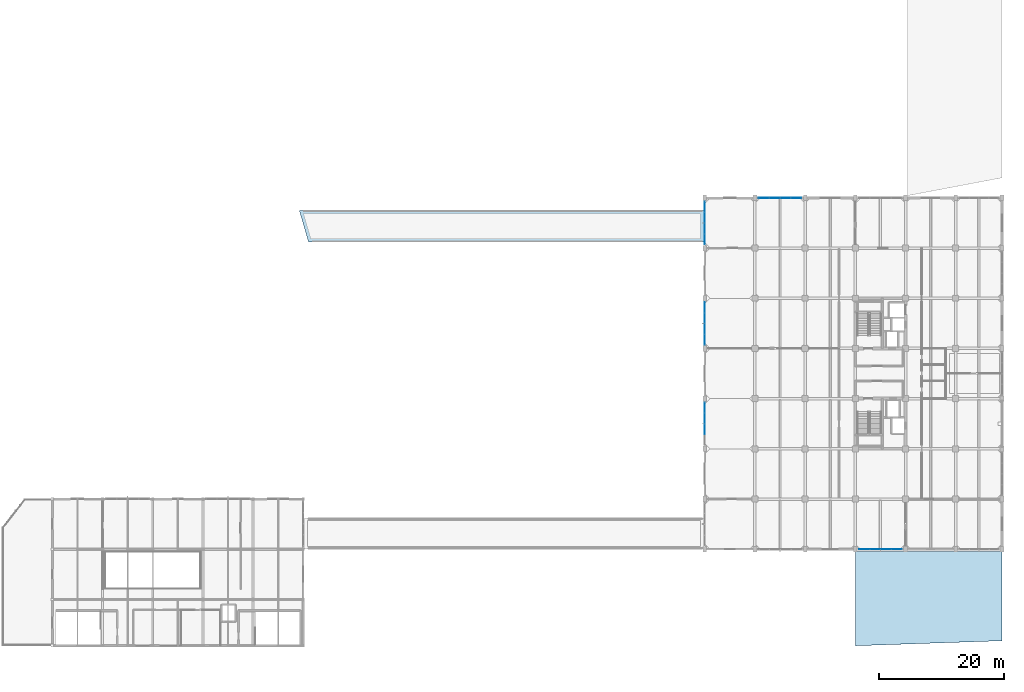
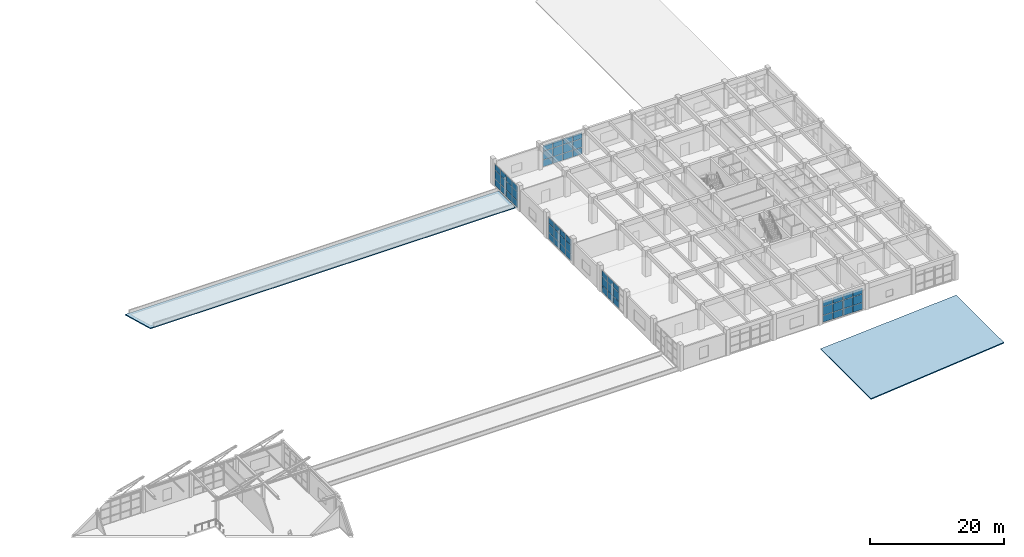
# One storey, part 44 of 63: 57 plates, 2 slabs, 5 elements without a shape of their own.
"""IFC4 building model written with IfcOpenShell, lengths in metres."""

from ifc_helpers import new_model, si_unit, direction, frame, origin, origin_2d, place, context, subcontext, project, spatial, polyline, rectangle, outline, extrude, material, layer, layer_set, type_object, element, aggregate, save


model = new_model("IFC4")

# Units and contexts
model_context = context("Model", 3, precision=1e-05, world=origin(), true_north=direction((0.0, 1.0)))
body_context = subcontext(model_context, "Body", "Model", "MODEL_VIEW")
ifc_project = project(units=[si_unit("LENGTHUNIT", "METRE"), si_unit("AREAUNIT", "SQUARE_METRE"), si_unit("VOLUMEUNIT", "CUBIC_METRE"), si_unit("PLANEANGLEUNIT", "RADIAN"), si_unit("MASSUNIT", "GRAM", prefix="KILO")], contexts=[model_context])

# Site, building, storey
site_placement = place(None, origin())
site = spatial("IfcSite", under=ifc_project, at=site_placement, CompositionType="ELEMENT")
building_placement = place(site_placement, origin())
building = spatial("IfcBuilding", under=site, at=building_placement, Name="Canggui Botanical Conservatory", CompositionType="ELEMENT")
storey_placement = place(building_placement, frame((0.0, 0.0, 10.199951171875)))
storey = spatial("IfcBuildingStorey", under=building, at=storey_placement, Name="L03", CompositionType="ELEMENT", Elevation=10.199951171875)

# Curtain wall, plates
ifc_material_1 = material(Name="Thermally Broken Aluminium", Category="aluminium")
ifc_layer_1 = layer(ifc_material_1, 0.14990234375, Name="Thermally Broken Aluminium", Category="aluminium")
ifc_layer_set_1 = layer_set([ifc_layer_1], Name="Thermally Broken Aluminium")
curtain_wall_type = type_object("IfcCurtainWallType", Name="CW-UNIT-C", PredefinedType="USERDEFINED", material=ifc_layer_set_1)
curtain_wall_1_placement = place(storey_placement, origin())
curtain_wall_1 = element("IfcCurtainWall", 1, at=curtain_wall_1_placement, inside=storey, type_object=curtain_wall_type, Name="Facade Curtain Wall CW-TWR-L03-03", ObjectType="UNITISED CURTAIN WALL", PredefinedType="USERDEFINED")
ifc_material_2 = material(Name="Low-E Insulated Glass", Category="glass")
ifc_layer_2 = layer(ifc_material_2, 0.033935546875, Name="Low-E Insulated Glass", Category="glass")
ifc_layer_set_2 = layer_set([ifc_layer_2], Name="Low-E Insulated Glass")
plate_type = type_object("IfcPlateType", Name="CWP-03", PredefinedType="CURTAIN_PANEL", material=ifc_layer_set_2)
plate_1_placement = place(storey_placement, frame((160.56494140625, 26.0, 0.05517578125), z_axis=(0.0, 0.0, 1.0), x_axis=(-1.0, 0.0, 0.0)))
plate_1 = element("IfcPlate", 2, at=plate_1_placement, type_object=plate_type, Name="CW-03 panel 1.1", PredefinedType="CURTAIN_PANEL", context=body_context, shape_type="SweptSolid", body=[
    extrude(rectangle(XDim=1.6298828125, YDim=0.033935546875, at=origin_2d()), origin(), (0.0, 0.0, 1.0), 1.197509765625),
])
plate_2_placement = place(storey_placement, frame((160.56494140625, 26.0, 1.3076171875), z_axis=(0.0, 0.0, 1.0), x_axis=(-1.0, 0.0, 0.0)))
plate_2 = element("IfcPlate", 3, at=plate_2_placement, type_object=plate_type, Name="CW-03 panel 1.2", PredefinedType="CURTAIN_PANEL", context=body_context, shape_type="SweptSolid", body=[
    extrude(rectangle(XDim=1.6298828125, YDim=0.033935546875, at=origin_2d()), origin(), (0.0, 0.0, 1.0), 1.544921875),
])
plate_3_placement = place(storey_placement, frame((160.56494140625, 26.0, 2.907470703125), z_axis=(0.0, 0.0, 1.0), x_axis=(-1.0, 0.0, 0.0)))
plate_3 = element("IfcPlate", 4, at=plate_3_placement, type_object=plate_type, Name="CW-03 panel 1.3", PredefinedType="CURTAIN_PANEL", context=body_context, shape_type="SweptSolid", body=[
    extrude(rectangle(XDim=1.6298828125, YDim=0.033935546875, at=origin_2d()), origin(), (0.0, 0.0, 1.0), 1.03759765625),
])
plate_4_placement = place(storey_placement, frame((158.860107421875, 26.0, 0.05517578125), z_axis=(0.0, 0.0, 1.0), x_axis=(-1.0, 0.0, 0.0)))
plate_4 = element("IfcPlate", 5, at=plate_4_placement, type_object=plate_type, Name="CW-03 panel 2.1", PredefinedType="CURTAIN_PANEL", context=body_context, shape_type="SweptSolid", body=[
    extrude(rectangle(XDim=1.659912109375, YDim=0.033935546875, at=origin_2d()), origin(), (0.0, 0.0, 1.0), 1.197509765625),
])
plate_5_placement = place(storey_placement, frame((158.860107421875, 26.0, 1.3076171875), z_axis=(0.0, 0.0, 1.0), x_axis=(-1.0, 0.0, 0.0)))
plate_5 = element("IfcPlate", 6, at=plate_5_placement, type_object=plate_type, Name="CW-03 panel 2.2", PredefinedType="CURTAIN_PANEL", context=body_context, shape_type="SweptSolid", body=[
    extrude(rectangle(XDim=1.659912109375, YDim=0.033935546875, at=origin_2d()), origin(), (0.0, 0.0, 1.0), 1.544921875),
])
plate_6_placement = place(storey_placement, frame((158.860107421875, 26.0, 2.907470703125), z_axis=(0.0, 0.0, 1.0), x_axis=(-1.0, 0.0, 0.0)))
plate_6 = element("IfcPlate", 7, at=plate_6_placement, type_object=plate_type, Name="CW-03 panel 2.3", PredefinedType="CURTAIN_PANEL", context=body_context, shape_type="SweptSolid", body=[
    extrude(rectangle(XDim=1.659912109375, YDim=0.033935546875, at=origin_2d()), origin(), (0.0, 0.0, 1.0), 1.03759765625),
])
plate_7_placement = place(storey_placement, frame((157.139892578125, 26.0, 0.05517578125), z_axis=(0.0, 0.0, 1.0), x_axis=(-1.0, 0.0, 0.0)))
plate_7 = element("IfcPlate", 8, at=plate_7_placement, type_object=plate_type, Name="CW-03 panel 3.1", PredefinedType="CURTAIN_PANEL", context=body_context, shape_type="SweptSolid", body=[
    extrude(rectangle(XDim=1.659912109375, YDim=0.033935546875, at=origin_2d()), origin(), (0.0, 0.0, 1.0), 1.197509765625),
])
plate_8_placement = place(storey_placement, frame((157.139892578125, 26.0, 1.3076171875), z_axis=(0.0, 0.0, 1.0), x_axis=(-1.0, 0.0, 0.0)))
plate_8 = element("IfcPlate", 9, at=plate_8_placement, type_object=plate_type, Name="CW-03 panel 3.2", PredefinedType="CURTAIN_PANEL", context=body_context, shape_type="SweptSolid", body=[
    extrude(rectangle(XDim=1.659912109375, YDim=0.033935546875, at=origin_2d()), origin(), (0.0, 0.0, 1.0), 1.544921875),
])
plate_9_placement = place(storey_placement, frame((157.139892578125, 26.0, 2.907470703125), z_axis=(0.0, 0.0, 1.0), x_axis=(-1.0, 0.0, 0.0)))
plate_9 = element("IfcPlate", 10, at=plate_9_placement, type_object=plate_type, Name="CW-03 panel 3.3", PredefinedType="CURTAIN_PANEL", context=body_context, shape_type="SweptSolid", body=[
    extrude(rectangle(XDim=1.659912109375, YDim=0.033935546875, at=origin_2d()), origin(), (0.0, 0.0, 1.0), 1.03759765625),
])
plate_10_placement = place(storey_placement, frame((155.43505859375, 26.0, 0.05517578125), z_axis=(0.0, 0.0, 1.0), x_axis=(-1.0, 0.0, 0.0)))
plate_10 = element("IfcPlate", 11, at=plate_10_placement, type_object=plate_type, Name="CW-03 panel 4.1", PredefinedType="CURTAIN_PANEL", context=body_context, shape_type="SweptSolid", body=[
    extrude(rectangle(XDim=1.6298828125, YDim=0.033935546875, at=origin_2d()), origin(), (0.0, 0.0, 1.0), 1.197509765625),
])
plate_11_placement = place(storey_placement, frame((155.43505859375, 26.0, 1.3076171875), z_axis=(0.0, 0.0, 1.0), x_axis=(-1.0, 0.0, 0.0)))
plate_11 = element("IfcPlate", 12, at=plate_11_placement, type_object=plate_type, Name="CW-03 panel 4.2", PredefinedType="CURTAIN_PANEL", context=body_context, shape_type="SweptSolid", body=[
    extrude(rectangle(XDim=1.6298828125, YDim=0.033935546875, at=origin_2d()), origin(), (0.0, 0.0, 1.0), 1.544921875),
])
plate_12_placement = place(storey_placement, frame((155.43505859375, 26.0, 2.907470703125), z_axis=(0.0, 0.0, 1.0), x_axis=(-1.0, 0.0, 0.0)))
plate_12 = element("IfcPlate", 13, at=plate_12_placement, type_object=plate_type, Name="CW-03 panel 4.3", PredefinedType="CURTAIN_PANEL", context=body_context, shape_type="SweptSolid", body=[
    extrude(rectangle(XDim=1.6298828125, YDim=0.033935546875, at=origin_2d()), origin(), (0.0, 0.0, 1.0), 1.03759765625),
])
aggregate(curtain_wall_1, [plate_1, plate_2, plate_3, plate_4, plate_5, plate_6, plate_7, plate_8, plate_9, plate_10, plate_11, plate_12])

curtain_wall_2_placement = place(storey_placement, origin())
curtain_wall_2 = element("IfcCurtainWall", 14, at=curtain_wall_2_placement, inside=storey, type_object=curtain_wall_type, Name="Facade Curtain Wall CW-TWR-L03-09", ObjectType="UNITISED CURTAIN WALL", PredefinedType="USERDEFINED")
plate_13_placement = place(storey_placement, frame((130.0, 45.139892578125, 0.05517578125), z_axis=(0.0, 0.0, 1.0), x_axis=(0.0, 1.0, 0.0)))
plate_13 = element("IfcPlate", 15, at=plate_13_placement, type_object=plate_type, Name="CW-03 panel 2.1", PredefinedType="CURTAIN_PANEL", context=body_context, shape_type="SweptSolid", body=[
    extrude(rectangle(XDim=1.659912109375, YDim=0.033935546875, at=origin_2d()), origin(), (0.0, 0.0, 1.0), 1.197509765625),
])
plate_14_placement = place(storey_placement, frame((130.0, 45.139892578125, 1.3076171875), z_axis=(0.0, 0.0, 1.0), x_axis=(0.0, 1.0, 0.0)))
plate_14 = element("IfcPlate", 16, at=plate_14_placement, type_object=plate_type, Name="CW-03 panel 2.2", PredefinedType="CURTAIN_PANEL", context=body_context, shape_type="SweptSolid", body=[
    extrude(rectangle(XDim=1.659912109375, YDim=0.033935546875, at=origin_2d()), origin(), (0.0, 0.0, 1.0), 1.544921875),
])
plate_15_placement = place(storey_placement, frame((130.0, 45.139892578125, 2.907470703125), z_axis=(0.0, 0.0, 1.0), x_axis=(0.0, 1.0, 0.0)))
plate_15 = element("IfcPlate", 17, at=plate_15_placement, type_object=plate_type, Name="CW-03 panel 2.3", PredefinedType="CURTAIN_PANEL", context=body_context, shape_type="SweptSolid", body=[
    extrude(rectangle(XDim=1.659912109375, YDim=0.033935546875, at=origin_2d()), origin(), (0.0, 0.0, 1.0), 1.03759765625),
])
plate_16_placement = place(storey_placement, frame((130.0, 46.860107421875, 0.05517578125), z_axis=(0.0, 0.0, 1.0), x_axis=(0.0, 1.0, 0.0)))
plate_16 = element("IfcPlate", 18, at=plate_16_placement, type_object=plate_type, Name="CW-03 panel 3.1", PredefinedType="CURTAIN_PANEL", context=body_context, shape_type="SweptSolid", body=[
    extrude(rectangle(XDim=1.659912109375, YDim=0.033935546875, at=origin_2d()), origin(), (0.0, 0.0, 1.0), 1.197509765625),
])
plate_17_placement = place(storey_placement, frame((130.0, 46.860107421875, 1.3076171875), z_axis=(0.0, 0.0, 1.0), x_axis=(0.0, 1.0, 0.0)))
plate_17 = element("IfcPlate", 19, at=plate_17_placement, type_object=plate_type, Name="CW-03 panel 3.2", PredefinedType="CURTAIN_PANEL", context=body_context, shape_type="SweptSolid", body=[
    extrude(rectangle(XDim=1.659912109375, YDim=0.033935546875, at=origin_2d()), origin(), (0.0, 0.0, 1.0), 1.544921875),
])
plate_18_placement = place(storey_placement, frame((130.0, 46.860107421875, 2.907470703125), z_axis=(0.0, 0.0, 1.0), x_axis=(0.0, 1.0, 0.0)))
plate_18 = element("IfcPlate", 20, at=plate_18_placement, type_object=plate_type, Name="CW-03 panel 3.3", PredefinedType="CURTAIN_PANEL", context=body_context, shape_type="SweptSolid", body=[
    extrude(rectangle(XDim=1.659912109375, YDim=0.033935546875, at=origin_2d()), origin(), (0.0, 0.0, 1.0), 1.03759765625),
])
plate_19_placement = place(storey_placement, frame((130.0, 48.56494140625, 0.05517578125), z_axis=(0.0, 0.0, 1.0), x_axis=(0.0, 1.0, 0.0)))
plate_19 = element("IfcPlate", 21, at=plate_19_placement, type_object=plate_type, Name="CW-03 panel 4.1", PredefinedType="CURTAIN_PANEL", context=body_context, shape_type="SweptSolid", body=[
    extrude(rectangle(XDim=1.6298828125, YDim=0.033935546875, at=origin_2d()), origin(), (0.0, 0.0, 1.0), 1.197509765625),
])
plate_20_placement = place(storey_placement, frame((130.0, 48.56494140625, 1.3076171875), z_axis=(0.0, 0.0, 1.0), x_axis=(0.0, 1.0, 0.0)))
plate_20 = element("IfcPlate", 22, at=plate_20_placement, type_object=plate_type, Name="CW-03 panel 4.2", PredefinedType="CURTAIN_PANEL", context=body_context, shape_type="SweptSolid", body=[
    extrude(rectangle(XDim=1.6298828125, YDim=0.033935546875, at=origin_2d()), origin(), (0.0, 0.0, 1.0), 1.544921875),
])
plate_21_placement = place(storey_placement, frame((130.0, 48.56494140625, 2.907470703125), z_axis=(0.0, 0.0, 1.0), x_axis=(0.0, 1.0, 0.0)))
plate_21 = element("IfcPlate", 23, at=plate_21_placement, type_object=plate_type, Name="CW-03 panel 4.3", PredefinedType="CURTAIN_PANEL", context=body_context, shape_type="SweptSolid", body=[
    extrude(rectangle(XDim=1.6298828125, YDim=0.033935546875, at=origin_2d()), origin(), (0.0, 0.0, 1.0), 1.03759765625),
])
aggregate(curtain_wall_2, [plate_13, plate_14, plate_15, plate_16, plate_17, plate_18, plate_19, plate_20, plate_21])

curtain_wall_3_placement = place(storey_placement, origin())
curtain_wall_3 = element("IfcCurtainWall", 24, at=curtain_wall_3_placement, inside=storey, type_object=curtain_wall_type, Name="Facade Curtain Wall CW-TWR-L03-11", ObjectType="UNITISED CURTAIN WALL", PredefinedType="USERDEFINED")
plate_22_placement = place(storey_placement, frame((130.0, 59.43505859375, 0.05517578125), z_axis=(0.0, 0.0, 1.0), x_axis=(0.0, 1.0, 0.0)))
plate_22 = element("IfcPlate", 25, at=plate_22_placement, type_object=plate_type, Name="CW-03 panel 1.1", PredefinedType="CURTAIN_PANEL", context=body_context, shape_type="SweptSolid", body=[
    extrude(rectangle(XDim=1.6298828125, YDim=0.033935546875, at=origin_2d()), origin(), (0.0, 0.0, 1.0), 1.197509765625),
])
plate_23_placement = place(storey_placement, frame((130.0, 59.43505859375, 1.3076171875), z_axis=(0.0, 0.0, 1.0), x_axis=(0.0, 1.0, 0.0)))
plate_23 = element("IfcPlate", 26, at=plate_23_placement, type_object=plate_type, Name="CW-03 panel 1.2", PredefinedType="CURTAIN_PANEL", context=body_context, shape_type="SweptSolid", body=[
    extrude(rectangle(XDim=1.6298828125, YDim=0.033935546875, at=origin_2d()), origin(), (0.0, 0.0, 1.0), 1.544921875),
])
plate_24_placement = place(storey_placement, frame((130.0, 59.43505859375, 2.907470703125), z_axis=(0.0, 0.0, 1.0), x_axis=(0.0, 1.0, 0.0)))
plate_24 = element("IfcPlate", 27, at=plate_24_placement, type_object=plate_type, Name="CW-03 panel 1.3", PredefinedType="CURTAIN_PANEL", context=body_context, shape_type="SweptSolid", body=[
    extrude(rectangle(XDim=1.6298828125, YDim=0.033935546875, at=origin_2d()), origin(), (0.0, 0.0, 1.0), 1.03759765625),
])
plate_25_placement = place(storey_placement, frame((130.0, 61.139892578125, 0.05517578125), z_axis=(0.0, 0.0, 1.0), x_axis=(0.0, 1.0, 0.0)))
plate_25 = element("IfcPlate", 28, at=plate_25_placement, type_object=plate_type, Name="CW-03 panel 2.1", PredefinedType="CURTAIN_PANEL", context=body_context, shape_type="SweptSolid", body=[
    extrude(rectangle(XDim=1.659912109375, YDim=0.033935546875, at=origin_2d()), origin(), (0.0, 0.0, 1.0), 1.197509765625),
])
plate_26_placement = place(storey_placement, frame((130.0, 61.139892578125, 1.3076171875), z_axis=(0.0, 0.0, 1.0), x_axis=(0.0, 1.0, 0.0)))
plate_26 = element("IfcPlate", 29, at=plate_26_placement, type_object=plate_type, Name="CW-03 panel 2.2", PredefinedType="CURTAIN_PANEL", context=body_context, shape_type="SweptSolid", body=[
    extrude(rectangle(XDim=1.659912109375, YDim=0.033935546875, at=origin_2d()), origin(), (0.0, 0.0, 1.0), 1.544921875),
])
plate_27_placement = place(storey_placement, frame((130.0, 61.139892578125, 2.907470703125), z_axis=(0.0, 0.0, 1.0), x_axis=(0.0, 1.0, 0.0)))
plate_27 = element("IfcPlate", 30, at=plate_27_placement, type_object=plate_type, Name="CW-03 panel 2.3", PredefinedType="CURTAIN_PANEL", context=body_context, shape_type="SweptSolid", body=[
    extrude(rectangle(XDim=1.659912109375, YDim=0.033935546875, at=origin_2d()), origin(), (0.0, 0.0, 1.0), 1.03759765625),
])
plate_28_placement = place(storey_placement, frame((130.0, 62.860107421875, 0.05517578125), z_axis=(0.0, 0.0, 1.0), x_axis=(0.0, 1.0, 0.0)))
plate_28 = element("IfcPlate", 31, at=plate_28_placement, type_object=plate_type, Name="CW-03 panel 3.1", PredefinedType="CURTAIN_PANEL", context=body_context, shape_type="SweptSolid", body=[
    extrude(rectangle(XDim=1.659912109375, YDim=0.033935546875, at=origin_2d()), origin(), (0.0, 0.0, 1.0), 1.197509765625),
])
plate_29_placement = place(storey_placement, frame((130.0, 62.860107421875, 1.3076171875), z_axis=(0.0, 0.0, 1.0), x_axis=(0.0, 1.0, 0.0)))
plate_29 = element("IfcPlate", 32, at=plate_29_placement, type_object=plate_type, Name="CW-03 panel 3.2", PredefinedType="CURTAIN_PANEL", context=body_context, shape_type="SweptSolid", body=[
    extrude(rectangle(XDim=1.659912109375, YDim=0.033935546875, at=origin_2d()), origin(), (0.0, 0.0, 1.0), 1.544921875),
])
plate_30_placement = place(storey_placement, frame((130.0, 62.860107421875, 2.907470703125), z_axis=(0.0, 0.0, 1.0), x_axis=(0.0, 1.0, 0.0)))
plate_30 = element("IfcPlate", 33, at=plate_30_placement, type_object=plate_type, Name="CW-03 panel 3.3", PredefinedType="CURTAIN_PANEL", context=body_context, shape_type="SweptSolid", body=[
    extrude(rectangle(XDim=1.659912109375, YDim=0.033935546875, at=origin_2d()), origin(), (0.0, 0.0, 1.0), 1.03759765625),
])
plate_31_placement = place(storey_placement, frame((130.0, 64.56494140625, 0.05517578125), z_axis=(0.0, 0.0, 1.0), x_axis=(0.0, 1.0, 0.0)))
plate_31 = element("IfcPlate", 34, at=plate_31_placement, type_object=plate_type, Name="CW-03 panel 4.1", PredefinedType="CURTAIN_PANEL", context=body_context, shape_type="SweptSolid", body=[
    extrude(rectangle(XDim=1.6298828125, YDim=0.033935546875, at=origin_2d()), origin(), (0.0, 0.0, 1.0), 1.197509765625),
])
plate_32_placement = place(storey_placement, frame((130.0, 64.56494140625, 1.3076171875), z_axis=(0.0, 0.0, 1.0), x_axis=(0.0, 1.0, 0.0)))
plate_32 = element("IfcPlate", 35, at=plate_32_placement, type_object=plate_type, Name="CW-03 panel 4.2", PredefinedType="CURTAIN_PANEL", context=body_context, shape_type="SweptSolid", body=[
    extrude(rectangle(XDim=1.6298828125, YDim=0.033935546875, at=origin_2d()), origin(), (0.0, 0.0, 1.0), 1.544921875),
])
plate_33_placement = place(storey_placement, frame((130.0, 64.56494140625, 2.907470703125), z_axis=(0.0, 0.0, 1.0), x_axis=(0.0, 1.0, 0.0)))
plate_33 = element("IfcPlate", 36, at=plate_33_placement, type_object=plate_type, Name="CW-03 panel 4.3", PredefinedType="CURTAIN_PANEL", context=body_context, shape_type="SweptSolid", body=[
    extrude(rectangle(XDim=1.6298828125, YDim=0.033935546875, at=origin_2d()), origin(), (0.0, 0.0, 1.0), 1.03759765625),
])
aggregate(curtain_wall_3, [plate_22, plate_23, plate_24, plate_25, plate_26, plate_27, plate_28, plate_29, plate_30, plate_31, plate_32, plate_33])

curtain_wall_4_placement = place(storey_placement, origin())
curtain_wall_4 = element("IfcCurtainWall", 37, at=curtain_wall_4_placement, inside=storey, type_object=curtain_wall_type, Name="Facade Curtain Wall CW-TWR-L03-13", ObjectType="UNITISED CURTAIN WALL", PredefinedType="USERDEFINED")
plate_34_placement = place(storey_placement, frame((130.0, 75.43505859375, 0.05517578125), z_axis=(0.0, 0.0, 1.0), x_axis=(0.0, 1.0, 0.0)))
plate_34 = element("IfcPlate", 38, at=plate_34_placement, type_object=plate_type, Name="CW-03 panel 1.1", PredefinedType="CURTAIN_PANEL", context=body_context, shape_type="SweptSolid", body=[
    extrude(rectangle(XDim=1.6298828125, YDim=0.033935546875, at=origin_2d()), origin(), (0.0, 0.0, 1.0), 1.197509765625),
])
plate_35_placement = place(storey_placement, frame((130.0, 75.43505859375, 1.3076171875), z_axis=(0.0, 0.0, 1.0), x_axis=(0.0, 1.0, 0.0)))
plate_35 = element("IfcPlate", 39, at=plate_35_placement, type_object=plate_type, Name="CW-03 panel 1.2", PredefinedType="CURTAIN_PANEL", context=body_context, shape_type="SweptSolid", body=[
    extrude(rectangle(XDim=1.6298828125, YDim=0.033935546875, at=origin_2d()), origin(), (0.0, 0.0, 1.0), 1.544921875),
])
plate_36_placement = place(storey_placement, frame((130.0, 75.43505859375, 2.907470703125), z_axis=(0.0, 0.0, 1.0), x_axis=(0.0, 1.0, 0.0)))
plate_36 = element("IfcPlate", 40, at=plate_36_placement, type_object=plate_type, Name="CW-03 panel 1.3", PredefinedType="CURTAIN_PANEL", context=body_context, shape_type="SweptSolid", body=[
    extrude(rectangle(XDim=1.6298828125, YDim=0.033935546875, at=origin_2d()), origin(), (0.0, 0.0, 1.0), 1.03759765625),
])
plate_37_placement = place(storey_placement, frame((130.0, 77.139892578125, 0.05517578125), z_axis=(0.0, 0.0, 1.0), x_axis=(0.0, 1.0, 0.0)))
plate_37 = element("IfcPlate", 41, at=plate_37_placement, type_object=plate_type, Name="CW-03 panel 2.1", PredefinedType="CURTAIN_PANEL", context=body_context, shape_type="SweptSolid", body=[
    extrude(rectangle(XDim=1.659912109375, YDim=0.033935546875, at=origin_2d()), origin(), (0.0, 0.0, 1.0), 1.197509765625),
])
plate_38_placement = place(storey_placement, frame((130.0, 77.139892578125, 1.3076171875), z_axis=(0.0, 0.0, 1.0), x_axis=(0.0, 1.0, 0.0)))
plate_38 = element("IfcPlate", 42, at=plate_38_placement, type_object=plate_type, Name="CW-03 panel 2.2", PredefinedType="CURTAIN_PANEL", context=body_context, shape_type="SweptSolid", body=[
    extrude(rectangle(XDim=1.659912109375, YDim=0.033935546875, at=origin_2d()), origin(), (0.0, 0.0, 1.0), 1.544921875),
])
plate_39_placement = place(storey_placement, frame((130.0, 77.139892578125, 2.907470703125), z_axis=(0.0, 0.0, 1.0), x_axis=(0.0, 1.0, 0.0)))
plate_39 = element("IfcPlate", 43, at=plate_39_placement, type_object=plate_type, Name="CW-03 panel 2.3", PredefinedType="CURTAIN_PANEL", context=body_context, shape_type="SweptSolid", body=[
    extrude(rectangle(XDim=1.659912109375, YDim=0.033935546875, at=origin_2d()), origin(), (0.0, 0.0, 1.0), 1.03759765625),
])
plate_40_placement = place(storey_placement, frame((130.0, 78.860107421875, 0.05517578125), z_axis=(0.0, 0.0, 1.0), x_axis=(0.0, 1.0, 0.0)))
plate_40 = element("IfcPlate", 44, at=plate_40_placement, type_object=plate_type, Name="CW-03 panel 3.1", PredefinedType="CURTAIN_PANEL", context=body_context, shape_type="SweptSolid", body=[
    extrude(rectangle(XDim=1.659912109375, YDim=0.033935546875, at=origin_2d()), origin(), (0.0, 0.0, 1.0), 1.197509765625),
])
plate_41_placement = place(storey_placement, frame((130.0, 78.860107421875, 1.3076171875), z_axis=(0.0, 0.0, 1.0), x_axis=(0.0, 1.0, 0.0)))
plate_41 = element("IfcPlate", 45, at=plate_41_placement, type_object=plate_type, Name="CW-03 panel 3.2", PredefinedType="CURTAIN_PANEL", context=body_context, shape_type="SweptSolid", body=[
    extrude(rectangle(XDim=1.659912109375, YDim=0.033935546875, at=origin_2d()), origin(), (0.0, 0.0, 1.0), 1.544921875),
])
plate_42_placement = place(storey_placement, frame((130.0, 78.860107421875, 2.907470703125), z_axis=(0.0, 0.0, 1.0), x_axis=(0.0, 1.0, 0.0)))
plate_42 = element("IfcPlate", 46, at=plate_42_placement, type_object=plate_type, Name="CW-03 panel 3.3", PredefinedType="CURTAIN_PANEL", context=body_context, shape_type="SweptSolid", body=[
    extrude(rectangle(XDim=1.659912109375, YDim=0.033935546875, at=origin_2d()), origin(), (0.0, 0.0, 1.0), 1.03759765625),
])
plate_43_placement = place(storey_placement, frame((130.0, 80.56494140625, 0.05517578125), z_axis=(0.0, 0.0, 1.0), x_axis=(0.0, 1.0, 0.0)))
plate_43 = element("IfcPlate", 47, at=plate_43_placement, type_object=plate_type, Name="CW-03 panel 4.1", PredefinedType="CURTAIN_PANEL", context=body_context, shape_type="SweptSolid", body=[
    extrude(rectangle(XDim=1.6298828125, YDim=0.033935546875, at=origin_2d()), origin(), (0.0, 0.0, 1.0), 1.197509765625),
])
plate_44_placement = place(storey_placement, frame((130.0, 80.56494140625, 1.3076171875), z_axis=(0.0, 0.0, 1.0), x_axis=(0.0, 1.0, 0.0)))
plate_44 = element("IfcPlate", 48, at=plate_44_placement, type_object=plate_type, Name="CW-03 panel 4.2", PredefinedType="CURTAIN_PANEL", context=body_context, shape_type="SweptSolid", body=[
    extrude(rectangle(XDim=1.6298828125, YDim=0.033935546875, at=origin_2d()), origin(), (0.0, 0.0, 1.0), 1.544921875),
])
plate_45_placement = place(storey_placement, frame((130.0, 80.56494140625, 2.907470703125), z_axis=(0.0, 0.0, 1.0), x_axis=(0.0, 1.0, 0.0)))
plate_45 = element("IfcPlate", 49, at=plate_45_placement, type_object=plate_type, Name="CW-03 panel 4.3", PredefinedType="CURTAIN_PANEL", context=body_context, shape_type="SweptSolid", body=[
    extrude(rectangle(XDim=1.6298828125, YDim=0.033935546875, at=origin_2d()), origin(), (0.0, 0.0, 1.0), 1.03759765625),
])
aggregate(curtain_wall_4, [plate_34, plate_35, plate_36, plate_37, plate_38, plate_39, plate_40, plate_41, plate_42, plate_43, plate_44, plate_45])

curtain_wall_5_placement = place(storey_placement, origin())
curtain_wall_5 = element("IfcCurtainWall", 50, at=curtain_wall_5_placement, inside=storey, type_object=curtain_wall_type, Name="Facade Curtain Wall CW-TWR-L03-15", ObjectType="UNITISED CURTAIN WALL", PredefinedType="USERDEFINED")
plate_46_placement = place(storey_placement, frame((139.43505859375, 82.0, 0.05517578125), z_axis=(0.0, 0.0, 1.0), x_axis=(1.0, 0.0, 0.0)))
plate_46 = element("IfcPlate", 51, at=plate_46_placement, type_object=plate_type, Name="CW-03 panel 1.1", PredefinedType="CURTAIN_PANEL", context=body_context, shape_type="SweptSolid", body=[
    extrude(rectangle(XDim=1.6298828125, YDim=0.033935546875, at=origin_2d()), origin(), (0.0, 0.0, 1.0), 1.197509765625),
])
plate_47_placement = place(storey_placement, frame((139.43505859375, 82.0, 1.3076171875), z_axis=(0.0, 0.0, 1.0), x_axis=(1.0, 0.0, 0.0)))
plate_47 = element("IfcPlate", 52, at=plate_47_placement, type_object=plate_type, Name="CW-03 panel 1.2", PredefinedType="CURTAIN_PANEL", context=body_context, shape_type="SweptSolid", body=[
    extrude(rectangle(XDim=1.6298828125, YDim=0.033935546875, at=origin_2d()), origin(), (0.0, 0.0, 1.0), 1.544921875),
])
plate_48_placement = place(storey_placement, frame((139.43505859375, 82.0, 2.907470703125), z_axis=(0.0, 0.0, 1.0), x_axis=(1.0, 0.0, 0.0)))
plate_48 = element("IfcPlate", 53, at=plate_48_placement, type_object=plate_type, Name="CW-03 panel 1.3", PredefinedType="CURTAIN_PANEL", context=body_context, shape_type="SweptSolid", body=[
    extrude(rectangle(XDim=1.6298828125, YDim=0.033935546875, at=origin_2d()), origin(), (0.0, 0.0, 1.0), 1.03759765625),
])
plate_49_placement = place(storey_placement, frame((141.139892578125, 82.0, 0.05517578125), z_axis=(0.0, 0.0, 1.0), x_axis=(1.0, 0.0, 0.0)))
plate_49 = element("IfcPlate", 54, at=plate_49_placement, type_object=plate_type, Name="CW-03 panel 2.1", PredefinedType="CURTAIN_PANEL", context=body_context, shape_type="SweptSolid", body=[
    extrude(rectangle(XDim=1.659912109375, YDim=0.033935546875, at=origin_2d()), origin(), (0.0, 0.0, 1.0), 1.197509765625),
])
plate_50_placement = place(storey_placement, frame((141.139892578125, 82.0, 1.3076171875), z_axis=(0.0, 0.0, 1.0), x_axis=(1.0, 0.0, 0.0)))
plate_50 = element("IfcPlate", 55, at=plate_50_placement, type_object=plate_type, Name="CW-03 panel 2.2", PredefinedType="CURTAIN_PANEL", context=body_context, shape_type="SweptSolid", body=[
    extrude(rectangle(XDim=1.659912109375, YDim=0.033935546875, at=origin_2d()), origin(), (0.0, 0.0, 1.0), 1.544921875),
])
plate_51_placement = place(storey_placement, frame((141.139892578125, 82.0, 2.907470703125), z_axis=(0.0, 0.0, 1.0), x_axis=(1.0, 0.0, 0.0)))
plate_51 = element("IfcPlate", 56, at=plate_51_placement, type_object=plate_type, Name="CW-03 panel 2.3", PredefinedType="CURTAIN_PANEL", context=body_context, shape_type="SweptSolid", body=[
    extrude(rectangle(XDim=1.659912109375, YDim=0.033935546875, at=origin_2d()), origin(), (0.0, 0.0, 1.0), 1.03759765625),
])
plate_52_placement = place(storey_placement, frame((142.860107421875, 82.0, 0.05517578125), z_axis=(0.0, 0.0, 1.0), x_axis=(1.0, 0.0, 0.0)))
plate_52 = element("IfcPlate", 57, at=plate_52_placement, type_object=plate_type, Name="CW-03 panel 3.1", PredefinedType="CURTAIN_PANEL", context=body_context, shape_type="SweptSolid", body=[
    extrude(rectangle(XDim=1.659912109375, YDim=0.033935546875, at=origin_2d()), origin(), (0.0, 0.0, 1.0), 1.197509765625),
])
plate_53_placement = place(storey_placement, frame((142.860107421875, 82.0, 1.3076171875), z_axis=(0.0, 0.0, 1.0), x_axis=(1.0, 0.0, 0.0)))
plate_53 = element("IfcPlate", 58, at=plate_53_placement, type_object=plate_type, Name="CW-03 panel 3.2", PredefinedType="CURTAIN_PANEL", context=body_context, shape_type="SweptSolid", body=[
    extrude(rectangle(XDim=1.659912109375, YDim=0.033935546875, at=origin_2d()), origin(), (0.0, 0.0, 1.0), 1.544921875),
])
plate_54_placement = place(storey_placement, frame((142.860107421875, 82.0, 2.907470703125), z_axis=(0.0, 0.0, 1.0), x_axis=(1.0, 0.0, 0.0)))
plate_54 = element("IfcPlate", 59, at=plate_54_placement, type_object=plate_type, Name="CW-03 panel 3.3", PredefinedType="CURTAIN_PANEL", context=body_context, shape_type="SweptSolid", body=[
    extrude(rectangle(XDim=1.659912109375, YDim=0.033935546875, at=origin_2d()), origin(), (0.0, 0.0, 1.0), 1.03759765625),
])
plate_55_placement = place(storey_placement, frame((144.56494140625, 82.0, 0.05517578125), z_axis=(0.0, 0.0, 1.0), x_axis=(1.0, 0.0, 0.0)))
plate_55 = element("IfcPlate", 60, at=plate_55_placement, type_object=plate_type, Name="CW-03 panel 4.1", PredefinedType="CURTAIN_PANEL", context=body_context, shape_type="SweptSolid", body=[
    extrude(rectangle(XDim=1.6298828125, YDim=0.033935546875, at=origin_2d()), origin(), (0.0, 0.0, 1.0), 1.197509765625),
])
plate_56_placement = place(storey_placement, frame((144.56494140625, 82.0, 1.3076171875), z_axis=(0.0, 0.0, 1.0), x_axis=(1.0, 0.0, 0.0)))
plate_56 = element("IfcPlate", 61, at=plate_56_placement, type_object=plate_type, Name="CW-03 panel 4.2", PredefinedType="CURTAIN_PANEL", context=body_context, shape_type="SweptSolid", body=[
    extrude(rectangle(XDim=1.6298828125, YDim=0.033935546875, at=origin_2d()), origin(), (0.0, 0.0, 1.0), 1.544921875),
])
plate_57_placement = place(storey_placement, frame((144.56494140625, 82.0, 2.907470703125), z_axis=(0.0, 0.0, 1.0), x_axis=(1.0, 0.0, 0.0)))
plate_57 = element("IfcPlate", 62, at=plate_57_placement, type_object=plate_type, Name="CW-03 panel 4.3", PredefinedType="CURTAIN_PANEL", context=body_context, shape_type="SweptSolid", body=[
    extrude(rectangle(XDim=1.6298828125, YDim=0.033935546875, at=origin_2d()), origin(), (0.0, 0.0, 1.0), 1.03759765625),
])
aggregate(curtain_wall_5, [plate_46, plate_47, plate_48, plate_49, plate_50, plate_51, plate_52, plate_53, plate_54, plate_55, plate_56, plate_57])

# Slabs
ifc_material_3 = material(Name="Concrete C35", Category="concrete")
ifc_layer_3 = layer(ifc_material_3, 0.179931640625, Name="Concrete C35", Category="concrete")
ifc_layer_set_3 = layer_set([ifc_layer_3], Name="Concrete C35")
slab_type = type_object("IfcSlabType", Name="SLAB-R180", PredefinedType="ROOF", material=ifc_layer_set_3)
slab_1_placement = place(storey_placement, frame((154.0, 10.60009765625, -4.349853515625), z_axis=(-0.068210854777, 0.0, 0.997670927356), x_axis=(0.997091374299, 0.034080413812, 0.06817123068)))
element("IfcSlab", 63, at=slab_1_placement, inside=storey, type_object=slab_type, Name="South-East Wing Pitched Concrete Roof Slab", PredefinedType="ROOF", context=body_context, shape_type="SweptSolid", body=[
    extrude(outline(polyline([(0.0, 0.0), (23.468162444184703, 9.71445146547012e-17), (23.953808341002635, 14.241722089091047), (0.5129035715365375, 15.041062165226297), (0.0, 0.0)])), origin(), (0.0, 0.0, -1.0), 0.179931640625),
])
slab_2_placement = place(storey_placement, frame((0.0, 0.0, -0.179931640625)))
element("IfcSlab", 64, at=slab_2_placement, inside=storey, type_object=slab_type, Name="North Court Covered Skybridge SB-04 Roof Slab", PredefinedType="ROOF", context=body_context, shape_type="SweptSolid", body=[
    extrude(outline(polyline([(66.830078125, 75.0), (129.800048828125, 75.0), (129.800048828125, 80.0), (65.3701171875, 80.0), (66.830078125, 75.0)])), origin(), (0.0, 0.0, 1.0), 0.179931640625),
])

save(model, "model.ifc")
